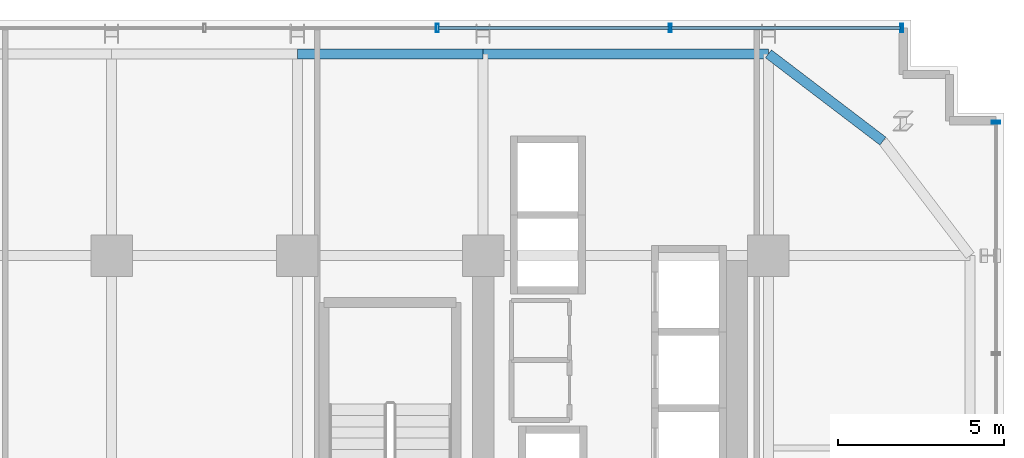
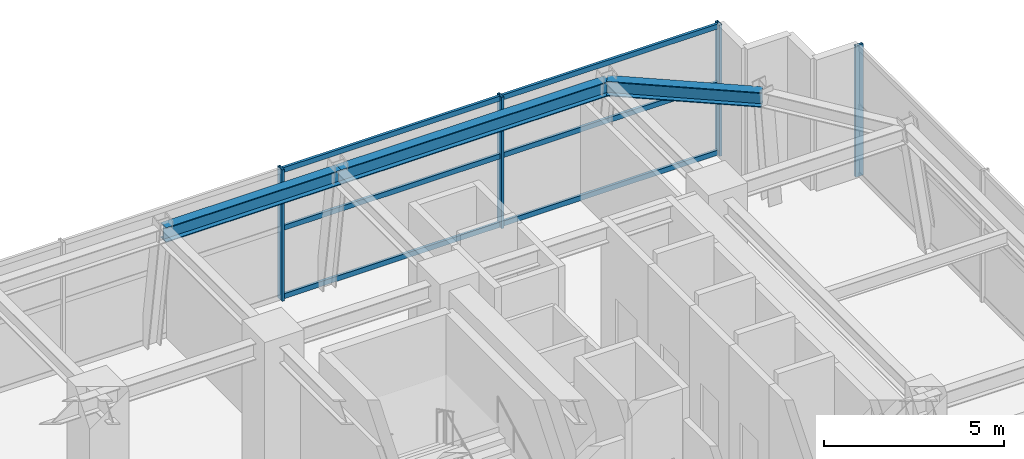
# One storey, part 18 of 26: 10 members, 3 beams, 2 elements without a shape of their own.
"""IFC4 building model written with IfcOpenShell, lengths in metres."""

from ifc_helpers import new_model, si_unit, direction, frame, origin, origin_2d, place, context, subcontext, project, spatial, hollow_rectangle, i_section, extrude, source, transform, mapped, material, material_profile, profile_set, type_object, element, aggregate, save


model = new_model("IFC4")

# Units and contexts
model_context = context("Model", 3, precision=1e-05, world=origin(), true_north=direction((0.0, 1.0)))
body_context = subcontext(model_context, "Body", "Model", "MODEL_VIEW")
ifc_project = project(units=[si_unit("LENGTHUNIT", "METRE"), si_unit("AREAUNIT", "SQUARE_METRE"), si_unit("VOLUMEUNIT", "CUBIC_METRE"), si_unit("PLANEANGLEUNIT", "RADIAN"), si_unit("MASSUNIT", "GRAM", prefix="KILO")], contexts=[model_context])

# Site, building, storey
site_placement = place(None, origin())
site = spatial("IfcSite", under=ifc_project, at=site_placement, CompositionType="ELEMENT")
building_placement = place(site_placement, origin())
building = spatial("IfcBuilding", under=site, at=building_placement, Name="Nahalor Promenade Grand Hotel", CompositionType="ELEMENT")
storey_placement = place(building_placement, frame((0.0, 0.0, 139.39990234375)))
storey = spatial("IfcBuildingStorey", under=building, at=storey_placement, Name="L35", CompositionType="ELEMENT", Elevation=139.39990234375)

# Beams
ifc_material_1 = material(Name="Steel S355JR", Category="steel")
ifc_material_profile_1 = material_profile(ifc_material_1, i_section(OverallWidth=0.3, OverallDepth=0.5, WebThickness=0.0145, FlangeThickness=0.028, at=origin_2d()), Name="HEB 500")
ifc_profile_set_1 = profile_set([ifc_material_profile_1], Name="Steel S355JR")
beam_type = type_object("IfcBeamType", Name="Beam-Spandrel-HEB500", PredefinedType="SPANDREL", material=ifc_profile_set_1)
shared_shape_1 = source(origin(), body_context, "Body", "SweptSolid", [
    extrude(i_section(OverallWidth=0.3, OverallDepth=0.5, WebThickness=0.0145, FlangeThickness=0.028, at=origin_2d()), origin(), (0.0, 0.0, 1.0), 8.60009765625),
])
beam_1_placement = place(storey_placement, frame((8.39990234375, 23.080078125, 4.190185546875), z_axis=(1.0, 0.0, 0.0), x_axis=(0.0, 1.0, 0.0)))
element("IfcBeam", 1, at=beam_1_placement, inside=storey, type_object=beam_type, Name="BM-L35-SP-N-4", PredefinedType="SPANDREL", context=body_context, shape_type="MappedRepresentation", body=[
    mapped(shared_shape_1, transform((0.0, 0.0, 0.0), scale=1.0)),
])
shared_shape_2 = source(origin(), body_context, "Body", "SweptSolid", [
    extrude(i_section(OverallWidth=0.3, OverallDepth=0.5, WebThickness=0.0145, FlangeThickness=0.028, at=origin_2d()), origin(), (0.0, 0.0, 1.0), 5.599853515625),
])
beam_2_placement = place(storey_placement, frame((2.800048828125, 23.080078125, 4.190185546875), z_axis=(1.0, 0.0, 0.0), x_axis=(0.0, 1.0, 0.0)))
element("IfcBeam", 2, at=beam_2_placement, inside=storey, type_object=beam_type, Name="BM-L35-SP-N-3", PredefinedType="SPANDREL", context=body_context, shape_type="MappedRepresentation", body=[
    mapped(shared_shape_2, transform((0.0, 0.0, 0.0), scale=1.0)),
])
shared_shape_3 = source(origin(), body_context, "Body", "SweptSolid", [
    extrude(i_section(OverallWidth=0.3, OverallDepth=0.5, WebThickness=0.0145, FlangeThickness=0.028, at=origin_2d()), origin(), (0.0, 0.0, 1.0), 4.338134765625),
])
beam_3_placement = place(storey_placement, frame((17.0, 23.080078125, 4.190185546875), z_axis=(0.795254699214, -0.606275484724, 0.0), x_axis=(0.606275484724, 0.795254699214, 0.0)))
element("IfcBeam", 3, at=beam_3_placement, inside=storey, type_object=beam_type, Name="BM-L35-SPC-NE-1", PredefinedType="SPANDREL", context=body_context, shape_type="MappedRepresentation", body=[
    mapped(shared_shape_3, transform((0.0, 0.0, 0.0), scale=1.0)),
])

# Curtain wall, members
ifc_material_2 = material(Name="Anodised Bronze Aluminium EN AW-6063 T6", Category="aluminium")
curtain_wall_type = type_object("IfcCurtainWallType", Name="CW5 Sky-Lobby & Observation Panoramic Curtain Wall", PredefinedType="USERDEFINED", material=ifc_material_2)
curtain_wall_1_placement = place(storey_placement, origin())
curtain_wall_1 = element("IfcCurtainWall", 4, at=curtain_wall_1_placement, inside=storey, type_object=curtain_wall_type, Name="L35 Curtain Wall CW-L35-N-1", ObjectType="UNITISED_CURTAIN_WALL", PredefinedType="USERDEFINED")
ifc_material_profile_2 = material_profile(ifc_material_2, hollow_rectangle(XDim=0.085, YDim=0.25, WallThickness=0.006, at=origin_2d()), Name="CWM 85x250x6")
ifc_profile_set_2 = profile_set([ifc_material_profile_2], Name="Anodised Bronze Aluminium EN AW-6063 T6")
member_type_1 = type_object("IfcMemberType", Name="CWM5 Panoramic Deep Mullion 85x250", PredefinedType="MULLION", material=ifc_profile_set_2)
shared_shape_4 = source(origin(), body_context, "Body", "SweptSolid", [
    extrude(hollow_rectangle(XDim=0.085, YDim=0.25, WallThickness=0.006, at=origin_2d()), origin(), (0.0, 0.0, 1.0), 4.440185546875),
])
member_1_placement = place(storey_placement, frame((7.02001953125, 23.860107421875, 0.0), z_axis=(0.0, 0.0, 1.0), x_axis=(1.0, 0.0, 0.0)))
member_1 = element("IfcMember", 5, at=member_1_placement, type_object=member_type_1, Name="CW-L35-N-1 Mullion 4", PredefinedType="MULLION", context=body_context, shape_type="MappedRepresentation", body=[
    mapped(shared_shape_4, transform((0.0, 0.0, 0.0), scale=1.0)),
])
member_2_placement = place(storey_placement, frame((14.0400390625, 23.860107421875, 0.0), z_axis=(0.0, 0.0, 1.0), x_axis=(1.0, 0.0, 0.0)))
member_2 = element("IfcMember", 6, at=member_2_placement, type_object=member_type_1, Name="CW-L35-N-1 Mullion 5", PredefinedType="MULLION", context=body_context, shape_type="MappedRepresentation", body=[
    mapped(shared_shape_4, transform((0.0, 0.0, 0.0), scale=1.0)),
])
member_3_placement = place(storey_placement, frame((21.017578125, 23.860107421875, 0.0), z_axis=(0.0, 0.0, 1.0), x_axis=(1.0, 0.0, 0.0)))
member_3 = element("IfcMember", 7, at=member_3_placement, type_object=member_type_1, Name="CW-L35-N-1 Mullion 6", PredefinedType="MULLION", context=body_context, shape_type="MappedRepresentation", body=[
    mapped(shared_shape_4, transform((0.0, 0.0, 0.0), scale=1.0)),
])

# Curtain wall, member
curtain_wall_2_placement = place(storey_placement, origin())
curtain_wall_2 = element("IfcCurtainWall", 8, at=curtain_wall_2_placement, inside=storey, type_object=curtain_wall_type, Name="L35 Curtain Wall CW-L35-E-1", ObjectType="UNITISED_CURTAIN_WALL", PredefinedType="USERDEFINED")
member_4_placement = place(storey_placement, frame((23.860107421875, 21.017578125, 0.0), z_axis=(0.0, 0.0, 1.0), x_axis=(0.0, 1.0, 0.0)))
member_4 = element("IfcMember", 9, at=member_4_placement, type_object=member_type_1, Name="CW-L35-E-1 Mullion 6", PredefinedType="MULLION", context=body_context, shape_type="MappedRepresentation", body=[
    mapped(shared_shape_4, transform((0.0, 0.0, 0.0), scale=1.0)),
])
aggregate(curtain_wall_2, [member_4])

# Member
ifc_material_profile_3 = material_profile(ifc_material_2, hollow_rectangle(XDim=0.085, YDim=0.17, WallThickness=0.005, at=origin_2d()), Name="CWT 85x170x5")
ifc_profile_set_3 = profile_set([ifc_material_profile_3], Name="Anodised Bronze Aluminium EN AW-6063 T6")
member_type_2 = type_object("IfcMemberType", Name="CWT5 Panoramic Transom 85x170", PredefinedType="USERDEFINED", material=ifc_profile_set_3)
shared_shape_5 = source(origin(), body_context, "Body", "SweptSolid", [
    extrude(hollow_rectangle(XDim=0.085, YDim=0.17, WallThickness=0.005, at=origin_2d()), origin(), (0.0, 0.0, 1.0), 6.892578125),
])
member_5_placement = place(storey_placement, frame((14.08251953125, 23.860107421875, 0.085205078125), z_axis=(1.0, 0.0, 0.0), x_axis=(0.0, 1.0, 0.0)))
member_5 = element("IfcMember", 10, at=member_5_placement, type_object=member_type_2, Name="CW-L35-N-1 Transom 5-0", ObjectType="TRANSOM", PredefinedType="USERDEFINED", context=body_context, shape_type="MappedRepresentation", body=[
    mapped(shared_shape_5, transform((0.0, 0.0, 0.0), scale=1.0)),
])

member_6_placement = place(storey_placement, frame((14.08251953125, 23.860107421875, 2.400146484375), z_axis=(1.0, 0.0, 0.0), x_axis=(0.0, 1.0, 0.0)))
member_6 = element("IfcMember", 11, at=member_6_placement, type_object=member_type_2, Name="CW-L35-N-1 Transom 5-1", ObjectType="TRANSOM", PredefinedType="USERDEFINED", context=body_context, shape_type="MappedRepresentation", body=[
    mapped(shared_shape_5, transform((0.0, 0.0, 0.0), scale=1.0)),
])

member_7_placement = place(storey_placement, frame((14.08251953125, 23.860107421875, 4.35498046875), z_axis=(1.0, 0.0, 0.0), x_axis=(0.0, 1.0, 0.0)))
member_7 = element("IfcMember", 12, at=member_7_placement, type_object=member_type_2, Name="CW-L35-N-1 Transom 5-2", ObjectType="TRANSOM", PredefinedType="USERDEFINED", context=body_context, shape_type="MappedRepresentation", body=[
    mapped(shared_shape_5, transform((0.0, 0.0, 0.0), scale=1.0)),
])

shared_shape_6 = source(origin(), body_context, "Body", "SweptSolid", [
    extrude(hollow_rectangle(XDim=0.085, YDim=0.17, WallThickness=0.005, at=origin_2d()), origin(), (0.0, 0.0, 1.0), 6.93505859375),
])
member_8_placement = place(storey_placement, frame((7.0625, 23.860107421875, 0.085205078125), z_axis=(1.0, 0.0, 0.0), x_axis=(0.0, 1.0, 0.0)))
member_8 = element("IfcMember", 13, at=member_8_placement, type_object=member_type_2, Name="CW-L35-N-1 Transom 4-0", ObjectType="TRANSOM", PredefinedType="USERDEFINED", context=body_context, shape_type="MappedRepresentation", body=[
    mapped(shared_shape_6, transform((0.0, 0.0, 0.0), scale=1.0)),
])

member_9_placement = place(storey_placement, frame((7.0625, 23.860107421875, 2.400146484375), z_axis=(1.0, 0.0, 0.0), x_axis=(0.0, 1.0, 0.0)))
member_9 = element("IfcMember", 14, at=member_9_placement, type_object=member_type_2, Name="CW-L35-N-1 Transom 4-1", ObjectType="TRANSOM", PredefinedType="USERDEFINED", context=body_context, shape_type="MappedRepresentation", body=[
    mapped(shared_shape_6, transform((0.0, 0.0, 0.0), scale=1.0)),
])

member_10_placement = place(storey_placement, frame((7.0625, 23.860107421875, 4.35498046875), z_axis=(1.0, 0.0, 0.0), x_axis=(0.0, 1.0, 0.0)))
member_10 = element("IfcMember", 15, at=member_10_placement, type_object=member_type_2, Name="CW-L35-N-1 Transom 4-2", ObjectType="TRANSOM", PredefinedType="USERDEFINED", context=body_context, shape_type="MappedRepresentation", body=[
    mapped(shared_shape_6, transform((0.0, 0.0, 0.0), scale=1.0)),
])

aggregate(curtain_wall_1, [member_1, member_2, member_3, member_8, member_9, member_10, member_5, member_6, member_7])

save(model, "model.ifc")
